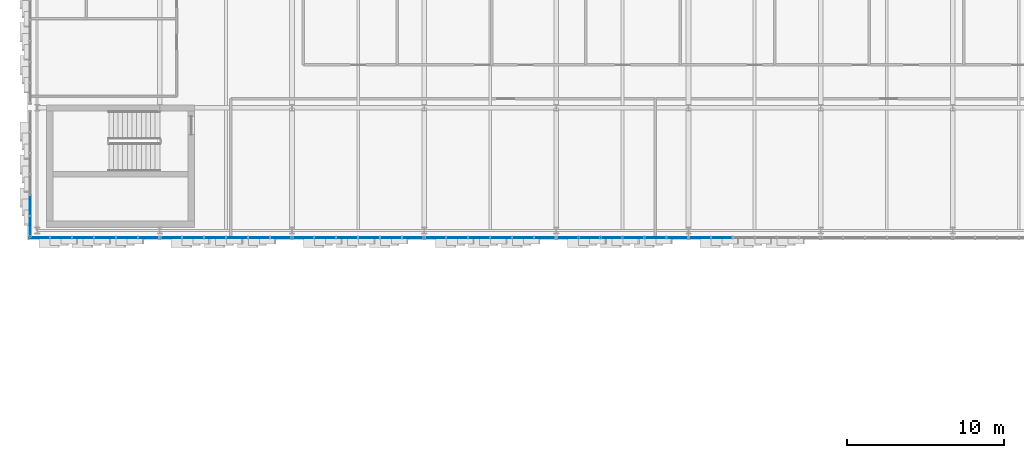
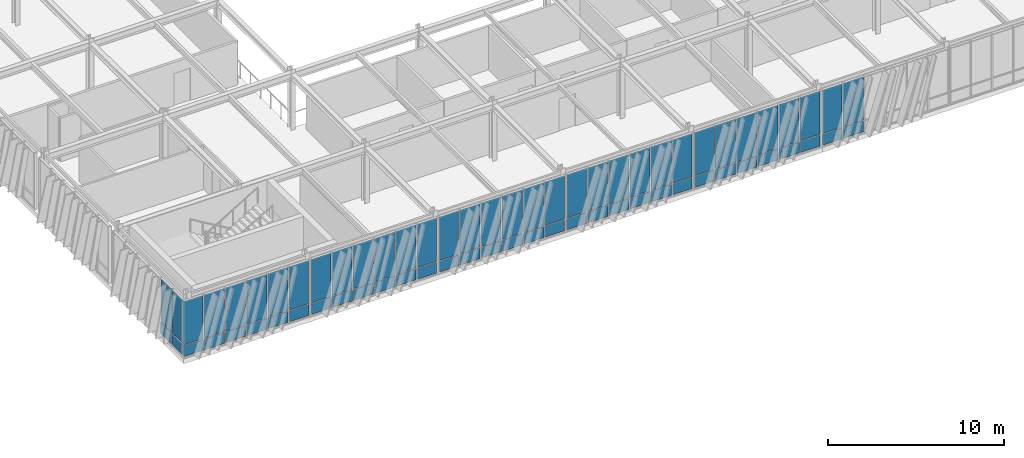
# One storey, part 84 of 127: 68 plates, 7 elements without a shape of their own.
"""IFC4 building model written with IfcOpenShell, lengths in metres."""

from ifc_helpers import new_model, si_unit, direction, frame, origin, origin_2d, place, context, subcontext, project, spatial, rectangle, extrude, material, layer, layer_set, type_object, element, aggregate, save


model = new_model("IFC4")

# Units and contexts
model_context = context("Model", 3, precision=1e-05, world=origin(), true_north=direction((0.0, 1.0)))
body_context = subcontext(model_context, "Body", "Model", "MODEL_VIEW")
ifc_project = project(units=[si_unit("LENGTHUNIT", "METRE"), si_unit("AREAUNIT", "SQUARE_METRE"), si_unit("VOLUMEUNIT", "CUBIC_METRE"), si_unit("PLANEANGLEUNIT", "RADIAN"), si_unit("MASSUNIT", "GRAM", prefix="KILO")], contexts=[model_context])

# Site, building, storey
site_placement = place(None, origin())
site = spatial("IfcSite", under=ifc_project, at=site_placement, CompositionType="ELEMENT")
building_placement = place(site_placement, origin())
building = spatial("IfcBuilding", under=site, at=building_placement, Name="Zayran Congress Hotel", CompositionType="ELEMENT")
storey_placement = place(building_placement, frame((0.0, 0.0, 10.800048828125)))
storey = spatial("IfcBuildingStorey", under=building, at=storey_placement, Name="L02", CompositionType="ELEMENT", Elevation=10.800048828125)

# Curtain wall, plates
ifc_material_1 = material(Name="Anodised aluminium and low-E insulated glass", Category="aluminium")
ifc_layer_1 = layer(ifc_material_1, 0.179931640625)
ifc_layer_set_1 = layer_set([ifc_layer_1], Name="Anodised aluminium and low-E insulated glass")
curtain_wall_type_1 = type_object("IfcCurtainWallType", Name="CW-V1S-L02-CW-11-8380-3920", PredefinedType="USERDEFINED", material=ifc_layer_set_1)
curtain_wall_1_placement = place(storey_placement, origin())
curtain_wall_1 = element("IfcCurtainWall", 1, at=curtain_wall_1_placement, inside=storey, type_object=curtain_wall_type_1, Name="CW-V1S-L02-0", ObjectType="CURTAIN WALL", PredefinedType="USERDEFINED")
ifc_material_2 = material(Name="Insulated warm bronze aluminium spandrel panel", Category="aluminium")
ifc_layer_2 = layer(ifc_material_2, 0.06005859375)
ifc_layer_set_2 = layer_set([ifc_layer_2], Name="Insulated warm bronze aluminium spandrel panel")
plate_type_1 = type_object("IfcPlateType", Name="CWP-SP-1277-750", PredefinedType="CURTAIN_PANEL", material=ifc_layer_set_2)
plate_1_placement = place(storey_placement, frame((9.12841796875, 67.75, 0.06005859375), z_axis=(0.0, 0.0, 1.0), x_axis=(1.0, 0.0, 0.0)))
plate_1 = element("IfcPlate", 2, at=plate_1_placement, type_object=plate_type_1, Name="CW-11 Spandrel Panel 1", PredefinedType="CURTAIN_PANEL", context=body_context, shape_type="SweptSolid", body=[
    extrude(rectangle(XDim=1.276611328125, YDim=0.06005859375, at=origin_2d()), origin(), (0.0, 0.0, 1.0), 0.75),
])
plate_2_placement = place(storey_placement, frame((10.5048828125, 67.75, 0.06005859375), z_axis=(0.0, 0.0, 1.0), x_axis=(1.0, 0.0, 0.0)))
plate_2 = element("IfcPlate", 3, at=plate_2_placement, type_object=plate_type_1, Name="CW-11 Spandrel Panel 2", PredefinedType="CURTAIN_PANEL", context=body_context, shape_type="SweptSolid", body=[
    extrude(rectangle(XDim=1.316650390625, YDim=0.06005859375, at=origin_2d()), origin(), (0.0, 0.0, 1.0), 0.75),
])
plate_3_placement = place(storey_placement, frame((11.901611328125, 67.75, 0.06005859375), z_axis=(0.0, 0.0, 1.0), x_axis=(1.0, 0.0, 0.0)))
plate_3 = element("IfcPlate", 4, at=plate_3_placement, type_object=plate_type_1, Name="CW-11 Spandrel Panel 3", PredefinedType="CURTAIN_PANEL", context=body_context, shape_type="SweptSolid", body=[
    extrude(rectangle(XDim=1.316650390625, YDim=0.06005859375, at=origin_2d()), origin(), (0.0, 0.0, 1.0), 0.75),
])
plate_4_placement = place(storey_placement, frame((13.29833984375, 67.75, 0.06005859375), z_axis=(0.0, 0.0, 1.0), x_axis=(1.0, 0.0, 0.0)))
plate_4 = element("IfcPlate", 5, at=plate_4_placement, type_object=plate_type_1, Name="CW-11 Spandrel Panel 4", PredefinedType="CURTAIN_PANEL", context=body_context, shape_type="SweptSolid", body=[
    extrude(rectangle(XDim=1.316650390625, YDim=0.06005859375, at=origin_2d()), origin(), (0.0, 0.0, 1.0), 0.75),
])
plate_5_placement = place(storey_placement, frame((14.695068359375, 67.75, 0.06005859375), z_axis=(0.0, 0.0, 1.0), x_axis=(1.0, 0.0, 0.0)))
plate_5 = element("IfcPlate", 6, at=plate_5_placement, type_object=plate_type_1, Name="CW-11 Spandrel Panel 5", PredefinedType="CURTAIN_PANEL", context=body_context, shape_type="SweptSolid", body=[
    extrude(rectangle(XDim=1.316650390625, YDim=0.06005859375, at=origin_2d()), origin(), (0.0, 0.0, 1.0), 0.75),
])
plate_6_placement = place(storey_placement, frame((16.07177734375, 67.75, 0.06005859375), z_axis=(0.0, 0.0, 1.0), x_axis=(1.0, 0.0, 0.0)))
plate_6 = element("IfcPlate", 7, at=plate_6_placement, type_object=plate_type_1, Name="CW-11 Spandrel Panel 6", PredefinedType="CURTAIN_PANEL", context=body_context, shape_type="SweptSolid", body=[
    extrude(rectangle(XDim=1.276611328125, YDim=0.06005859375, at=origin_2d()), origin(), (0.0, 0.0, 1.0), 0.75),
])

ifc_layer_3 = layer(ifc_material_1, 0.179931640625)
ifc_layer_set_3 = layer_set([ifc_layer_3], Name="Anodised aluminium and low-E insulated glass")
curtain_wall_type_2 = type_object("IfcCurtainWallType", Name="CW-V1S-L02-CW-12-8380-3920", PredefinedType="USERDEFINED", material=ifc_layer_set_3)
curtain_wall_2_placement = place(storey_placement, origin())
curtain_wall_2 = element("IfcCurtainWall", 8, at=curtain_wall_2_placement, inside=storey, type_object=curtain_wall_type_2, Name="CW-V1S-L02-1", ObjectType="CURTAIN WALL", PredefinedType="USERDEFINED")
plate_7_placement = place(storey_placement, frame((17.5283203125, 67.75, 0.06005859375), z_axis=(0.0, 0.0, 1.0), x_axis=(1.0, 0.0, 0.0)))
plate_7 = element("IfcPlate", 9, at=plate_7_placement, type_object=plate_type_1, Name="CW-12 Spandrel Panel 1", PredefinedType="CURTAIN_PANEL", context=body_context, shape_type="SweptSolid", body=[
    extrude(rectangle(XDim=1.276611328125, YDim=0.06005859375, at=origin_2d()), origin(), (0.0, 0.0, 1.0), 0.75),
])
plate_8_placement = place(storey_placement, frame((18.905029296875, 67.75, 0.06005859375), z_axis=(0.0, 0.0, 1.0), x_axis=(1.0, 0.0, 0.0)))
plate_8 = element("IfcPlate", 10, at=plate_8_placement, type_object=plate_type_1, Name="CW-12 Spandrel Panel 2", PredefinedType="CURTAIN_PANEL", context=body_context, shape_type="SweptSolid", body=[
    extrude(rectangle(XDim=1.316650390625, YDim=0.06005859375, at=origin_2d()), origin(), (0.0, 0.0, 1.0), 0.75),
])
plate_9_placement = place(storey_placement, frame((20.3017578125, 67.75, 0.06005859375), z_axis=(0.0, 0.0, 1.0), x_axis=(1.0, 0.0, 0.0)))
plate_9 = element("IfcPlate", 11, at=plate_9_placement, type_object=plate_type_1, Name="CW-12 Spandrel Panel 3", PredefinedType="CURTAIN_PANEL", context=body_context, shape_type="SweptSolid", body=[
    extrude(rectangle(XDim=1.316650390625, YDim=0.06005859375, at=origin_2d()), origin(), (0.0, 0.0, 1.0), 0.75),
])
plate_10_placement = place(storey_placement, frame((21.6982421875, 67.75, 0.06005859375), z_axis=(0.0, 0.0, 1.0), x_axis=(1.0, 0.0, 0.0)))
plate_10 = element("IfcPlate", 12, at=plate_10_placement, type_object=plate_type_1, Name="CW-12 Spandrel Panel 4", PredefinedType="CURTAIN_PANEL", context=body_context, shape_type="SweptSolid", body=[
    extrude(rectangle(XDim=1.316650390625, YDim=0.06005859375, at=origin_2d()), origin(), (0.0, 0.0, 1.0), 0.75),
])
plate_11_placement = place(storey_placement, frame((23.094970703125, 67.75, 0.06005859375), z_axis=(0.0, 0.0, 1.0), x_axis=(1.0, 0.0, 0.0)))
plate_11 = element("IfcPlate", 13, at=plate_11_placement, type_object=plate_type_1, Name="CW-12 Spandrel Panel 5", PredefinedType="CURTAIN_PANEL", context=body_context, shape_type="SweptSolid", body=[
    extrude(rectangle(XDim=1.316650390625, YDim=0.06005859375, at=origin_2d()), origin(), (0.0, 0.0, 1.0), 0.75),
])
plate_12_placement = place(storey_placement, frame((24.4716796875, 67.75, 0.06005859375), z_axis=(0.0, 0.0, 1.0), x_axis=(1.0, 0.0, 0.0)))
plate_12 = element("IfcPlate", 14, at=plate_12_placement, type_object=plate_type_1, Name="CW-12 Spandrel Panel 6", PredefinedType="CURTAIN_PANEL", context=body_context, shape_type="SweptSolid", body=[
    extrude(rectangle(XDim=1.276611328125, YDim=0.06005859375, at=origin_2d()), origin(), (0.0, 0.0, 1.0), 0.75),
])

ifc_layer_4 = layer(ifc_material_1, 0.179931640625)
ifc_layer_set_4 = layer_set([ifc_layer_4], Name="Anodised aluminium and low-E insulated glass")
curtain_wall_type_3 = type_object("IfcCurtainWallType", Name="CW-V1S-L02-CW-13-8380-3920", PredefinedType="USERDEFINED", material=ifc_layer_set_4)
curtain_wall_3_placement = place(storey_placement, origin())
curtain_wall_3 = element("IfcCurtainWall", 15, at=curtain_wall_3_placement, inside=storey, type_object=curtain_wall_type_3, Name="CW-V1S-L02-2", ObjectType="CURTAIN WALL", PredefinedType="USERDEFINED")
plate_13_placement = place(storey_placement, frame((25.92822265625, 67.75, 0.06005859375), z_axis=(0.0, 0.0, 1.0), x_axis=(1.0, 0.0, 0.0)))
plate_13 = element("IfcPlate", 16, at=plate_13_placement, type_object=plate_type_1, Name="CW-13 Spandrel Panel 1", PredefinedType="CURTAIN_PANEL", context=body_context, shape_type="SweptSolid", body=[
    extrude(rectangle(XDim=1.276611328125, YDim=0.06005859375, at=origin_2d()), origin(), (0.0, 0.0, 1.0), 0.75),
])
plate_14_placement = place(storey_placement, frame((27.304931640625, 67.75, 0.06005859375), z_axis=(0.0, 0.0, 1.0), x_axis=(1.0, 0.0, 0.0)))
plate_14 = element("IfcPlate", 17, at=plate_14_placement, type_object=plate_type_1, Name="CW-13 Spandrel Panel 2", PredefinedType="CURTAIN_PANEL", context=body_context, shape_type="SweptSolid", body=[
    extrude(rectangle(XDim=1.316650390625, YDim=0.06005859375, at=origin_2d()), origin(), (0.0, 0.0, 1.0), 0.75),
])
plate_15_placement = place(storey_placement, frame((28.70166015625, 67.75, 0.06005859375), z_axis=(0.0, 0.0, 1.0), x_axis=(1.0, 0.0, 0.0)))
plate_15 = element("IfcPlate", 18, at=plate_15_placement, type_object=plate_type_1, Name="CW-13 Spandrel Panel 3", PredefinedType="CURTAIN_PANEL", context=body_context, shape_type="SweptSolid", body=[
    extrude(rectangle(XDim=1.316650390625, YDim=0.06005859375, at=origin_2d()), origin(), (0.0, 0.0, 1.0), 0.75),
])
plate_16_placement = place(storey_placement, frame((30.098388671875, 67.75, 0.06005859375), z_axis=(0.0, 0.0, 1.0), x_axis=(1.0, 0.0, 0.0)))
plate_16 = element("IfcPlate", 19, at=plate_16_placement, type_object=plate_type_1, Name="CW-13 Spandrel Panel 4", PredefinedType="CURTAIN_PANEL", context=body_context, shape_type="SweptSolid", body=[
    extrude(rectangle(XDim=1.316650390625, YDim=0.06005859375, at=origin_2d()), origin(), (0.0, 0.0, 1.0), 0.75),
])
plate_17_placement = place(storey_placement, frame((31.4951171875, 67.75, 0.06005859375), z_axis=(0.0, 0.0, 1.0), x_axis=(1.0, 0.0, 0.0)))
plate_17 = element("IfcPlate", 20, at=plate_17_placement, type_object=plate_type_1, Name="CW-13 Spandrel Panel 5", PredefinedType="CURTAIN_PANEL", context=body_context, shape_type="SweptSolid", body=[
    extrude(rectangle(XDim=1.316650390625, YDim=0.06005859375, at=origin_2d()), origin(), (0.0, 0.0, 1.0), 0.75),
])
plate_18_placement = place(storey_placement, frame((32.87158203125, 67.75, 0.06005859375), z_axis=(0.0, 0.0, 1.0), x_axis=(1.0, 0.0, 0.0)))
plate_18 = element("IfcPlate", 21, at=plate_18_placement, type_object=plate_type_1, Name="CW-13 Spandrel Panel 6", PredefinedType="CURTAIN_PANEL", context=body_context, shape_type="SweptSolid", body=[
    extrude(rectangle(XDim=1.276611328125, YDim=0.06005859375, at=origin_2d()), origin(), (0.0, 0.0, 1.0), 0.75),
])

curtain_wall_4_placement = place(storey_placement, origin())
curtain_wall_4 = element("IfcCurtainWall", 22, at=curtain_wall_4_placement, inside=storey, type_object=curtain_wall_type_1, Name="CW-V1S-L02-3", ObjectType="CURTAIN WALL", PredefinedType="USERDEFINED")
plate_19_placement = place(storey_placement, frame((34.328369140625, 67.75, 0.06005859375), z_axis=(0.0, 0.0, 1.0), x_axis=(1.0, 0.0, 0.0)))
plate_19 = element("IfcPlate", 23, at=plate_19_placement, type_object=plate_type_1, Name="CW-11 Spandrel Panel 1", PredefinedType="CURTAIN_PANEL", context=body_context, shape_type="SweptSolid", body=[
    extrude(rectangle(XDim=1.276611328125, YDim=0.06005859375, at=origin_2d()), origin(), (0.0, 0.0, 1.0), 0.75),
])
plate_20_placement = place(storey_placement, frame((35.705078125, 67.75, 0.06005859375), z_axis=(0.0, 0.0, 1.0), x_axis=(1.0, 0.0, 0.0)))
plate_20 = element("IfcPlate", 24, at=plate_20_placement, type_object=plate_type_1, Name="CW-11 Spandrel Panel 2", PredefinedType="CURTAIN_PANEL", context=body_context, shape_type="SweptSolid", body=[
    extrude(rectangle(XDim=1.316650390625, YDim=0.06005859375, at=origin_2d()), origin(), (0.0, 0.0, 1.0), 0.75),
])
plate_21_placement = place(storey_placement, frame((37.101806640625, 67.75, 0.06005859375), z_axis=(0.0, 0.0, 1.0), x_axis=(1.0, 0.0, 0.0)))
plate_21 = element("IfcPlate", 25, at=plate_21_placement, type_object=plate_type_1, Name="CW-11 Spandrel Panel 3", PredefinedType="CURTAIN_PANEL", context=body_context, shape_type="SweptSolid", body=[
    extrude(rectangle(XDim=1.316650390625, YDim=0.06005859375, at=origin_2d()), origin(), (0.0, 0.0, 1.0), 0.75),
])
plate_22_placement = place(storey_placement, frame((38.498291015625, 67.75, 0.06005859375), z_axis=(0.0, 0.0, 1.0), x_axis=(1.0, 0.0, 0.0)))
plate_22 = element("IfcPlate", 26, at=plate_22_placement, type_object=plate_type_1, Name="CW-11 Spandrel Panel 4", PredefinedType="CURTAIN_PANEL", context=body_context, shape_type="SweptSolid", body=[
    extrude(rectangle(XDim=1.316650390625, YDim=0.06005859375, at=origin_2d()), origin(), (0.0, 0.0, 1.0), 0.75),
])
plate_23_placement = place(storey_placement, frame((39.89501953125, 67.75, 0.06005859375), z_axis=(0.0, 0.0, 1.0), x_axis=(1.0, 0.0, 0.0)))
plate_23 = element("IfcPlate", 27, at=plate_23_placement, type_object=plate_type_1, Name="CW-11 Spandrel Panel 5", PredefinedType="CURTAIN_PANEL", context=body_context, shape_type="SweptSolid", body=[
    extrude(rectangle(XDim=1.316650390625, YDim=0.06005859375, at=origin_2d()), origin(), (0.0, 0.0, 1.0), 0.75),
])
plate_24_placement = place(storey_placement, frame((41.271728515625, 67.75, 0.06005859375), z_axis=(0.0, 0.0, 1.0), x_axis=(1.0, 0.0, 0.0)))
plate_24 = element("IfcPlate", 28, at=plate_24_placement, type_object=plate_type_1, Name="CW-11 Spandrel Panel 6", PredefinedType="CURTAIN_PANEL", context=body_context, shape_type="SweptSolid", body=[
    extrude(rectangle(XDim=1.276611328125, YDim=0.06005859375, at=origin_2d()), origin(), (0.0, 0.0, 1.0), 0.75),
])

curtain_wall_5_placement = place(storey_placement, origin())
curtain_wall_5 = element("IfcCurtainWall", 29, at=curtain_wall_5_placement, inside=storey, type_object=curtain_wall_type_2, Name="CW-V1S-L02-4", ObjectType="CURTAIN WALL", PredefinedType="USERDEFINED")
plate_25_placement = place(storey_placement, frame((42.728271484375, 67.75, 0.06005859375), z_axis=(0.0, 0.0, 1.0), x_axis=(1.0, 0.0, 0.0)))
plate_25 = element("IfcPlate", 30, at=plate_25_placement, type_object=plate_type_1, Name="CW-12 Spandrel Panel 1", PredefinedType="CURTAIN_PANEL", context=body_context, shape_type="SweptSolid", body=[
    extrude(rectangle(XDim=1.276611328125, YDim=0.06005859375, at=origin_2d()), origin(), (0.0, 0.0, 1.0), 0.75),
])
plate_26_placement = place(storey_placement, frame((44.10498046875, 67.75, 0.06005859375), z_axis=(0.0, 0.0, 1.0), x_axis=(1.0, 0.0, 0.0)))
plate_26 = element("IfcPlate", 31, at=plate_26_placement, type_object=plate_type_1, Name="CW-12 Spandrel Panel 2", PredefinedType="CURTAIN_PANEL", context=body_context, shape_type="SweptSolid", body=[
    extrude(rectangle(XDim=1.316650390625, YDim=0.06005859375, at=origin_2d()), origin(), (0.0, 0.0, 1.0), 0.75),
])
plate_27_placement = place(storey_placement, frame((45.501708984375, 67.75, 0.06005859375), z_axis=(0.0, 0.0, 1.0), x_axis=(1.0, 0.0, 0.0)))
plate_27 = element("IfcPlate", 32, at=plate_27_placement, type_object=plate_type_1, Name="CW-12 Spandrel Panel 3", PredefinedType="CURTAIN_PANEL", context=body_context, shape_type="SweptSolid", body=[
    extrude(rectangle(XDim=1.316650390625, YDim=0.06005859375, at=origin_2d()), origin(), (0.0, 0.0, 1.0), 0.75),
])
plate_28_placement = place(storey_placement, frame((46.898193359375, 67.75, 0.06005859375), z_axis=(0.0, 0.0, 1.0), x_axis=(1.0, 0.0, 0.0)))
plate_28 = element("IfcPlate", 33, at=plate_28_placement, type_object=plate_type_1, Name="CW-12 Spandrel Panel 4", PredefinedType="CURTAIN_PANEL", context=body_context, shape_type="SweptSolid", body=[
    extrude(rectangle(XDim=1.316650390625, YDim=0.06005859375, at=origin_2d()), origin(), (0.0, 0.0, 1.0), 0.75),
])
plate_29_placement = place(storey_placement, frame((48.294921875, 67.75, 0.06005859375), z_axis=(0.0, 0.0, 1.0), x_axis=(1.0, 0.0, 0.0)))
plate_29 = element("IfcPlate", 34, at=plate_29_placement, type_object=plate_type_1, Name="CW-12 Spandrel Panel 5", PredefinedType="CURTAIN_PANEL", context=body_context, shape_type="SweptSolid", body=[
    extrude(rectangle(XDim=1.316650390625, YDim=0.06005859375, at=origin_2d()), origin(), (0.0, 0.0, 1.0), 0.75),
])
plate_30_placement = place(storey_placement, frame((49.671630859375, 67.75, 0.06005859375), z_axis=(0.0, 0.0, 1.0), x_axis=(1.0, 0.0, 0.0)))
plate_30 = element("IfcPlate", 35, at=plate_30_placement, type_object=plate_type_1, Name="CW-12 Spandrel Panel 6", PredefinedType="CURTAIN_PANEL", context=body_context, shape_type="SweptSolid", body=[
    extrude(rectangle(XDim=1.276611328125, YDim=0.06005859375, at=origin_2d()), origin(), (0.0, 0.0, 1.0), 0.75),
])

curtain_wall_6_placement = place(storey_placement, origin())
curtain_wall_6 = element("IfcCurtainWall", 36, at=curtain_wall_6_placement, inside=storey, type_object=curtain_wall_type_3, Name="CW-V1S-L02-5", ObjectType="CURTAIN WALL", PredefinedType="USERDEFINED")
plate_31_placement = place(storey_placement, frame((51.12841796875, 67.75, 0.06005859375), z_axis=(0.0, 0.0, 1.0), x_axis=(1.0, 0.0, 0.0)))
plate_31 = element("IfcPlate", 37, at=plate_31_placement, type_object=plate_type_1, Name="CW-13 Spandrel Panel 1", PredefinedType="CURTAIN_PANEL", context=body_context, shape_type="SweptSolid", body=[
    extrude(rectangle(XDim=1.276611328125, YDim=0.06005859375, at=origin_2d()), origin(), (0.0, 0.0, 1.0), 0.75),
])
plate_32_placement = place(storey_placement, frame((52.5048828125, 67.75, 0.06005859375), z_axis=(0.0, 0.0, 1.0), x_axis=(1.0, 0.0, 0.0)))
plate_32 = element("IfcPlate", 38, at=plate_32_placement, type_object=plate_type_1, Name="CW-13 Spandrel Panel 2", PredefinedType="CURTAIN_PANEL", context=body_context, shape_type="SweptSolid", body=[
    extrude(rectangle(XDim=1.316650390625, YDim=0.06005859375, at=origin_2d()), origin(), (0.0, 0.0, 1.0), 0.75),
])

ifc_layer_5 = layer(ifc_material_1, 0.179931640625)
ifc_layer_set_5 = layer_set([ifc_layer_5], Name="Anodised aluminium and low-E insulated glass")
curtain_wall_type_4 = type_object("IfcCurtainWallType", Name="CW-V1W-L02-CW-31-8040-3920", PredefinedType="USERDEFINED", material=ifc_layer_set_5)
curtain_wall_7_placement = place(storey_placement, origin())
curtain_wall_7 = element("IfcCurtainWall", 39, at=curtain_wall_7_placement, inside=storey, type_object=curtain_wall_type_4, Name="CW-V1W-L02-0", ObjectType="CURTAIN WALL", PredefinedType="USERDEFINED")
ifc_layer_6 = layer(ifc_material_2, 0.06005859375)
ifc_layer_set_6 = layer_set([ifc_layer_6], Name="Insulated warm bronze aluminium spandrel panel")
plate_type_2 = type_object("IfcPlateType", Name="CWP-SP-1220-750", PredefinedType="CURTAIN_PANEL", material=ifc_layer_set_6)
plate_33_placement = place(storey_placement, frame((8.550048828125, 69.7900390625, 0.06005859375), z_axis=(0.0, 0.0, 1.0), x_axis=(0.0, 1.0, 0.0)))
plate_33 = element("IfcPlate", 40, at=plate_33_placement, type_object=plate_type_2, Name="CW-31 Spandrel Panel 5", PredefinedType="CURTAIN_PANEL", context=body_context, shape_type="SweptSolid", body=[
    extrude(rectangle(XDim=1.260009765625, YDim=0.06005859375, at=origin_2d()), origin(), (0.0, 0.0, 1.0), 0.75),
])
plate_34_placement = place(storey_placement, frame((8.550048828125, 68.469970703125, 0.06005859375), z_axis=(0.0, 0.0, 1.0), x_axis=(0.0, 1.0, 0.0)))
plate_34 = element("IfcPlate", 41, at=plate_34_placement, type_object=plate_type_2, Name="CW-31 Spandrel Panel 6", PredefinedType="CURTAIN_PANEL", context=body_context, shape_type="SweptSolid", body=[
    extrude(rectangle(XDim=1.219970703125, YDim=0.06005859375, at=origin_2d()), origin(), (0.0, 0.0, 1.0), 0.75),
])

# Plate
ifc_layer_7 = layer(ifc_material_1, 0.028076171875)
ifc_layer_set_7 = layer_set([ifc_layer_7], Name="Anodised aluminium and low-E insulated glass")
plate_type_3 = type_object("IfcPlateType", Name="CWP-GL-1277-2990", PredefinedType="CURTAIN_PANEL", material=ifc_layer_set_7)
plate_35_placement = place(storey_placement, frame((9.12841796875, 67.75, 0.8701171875), z_axis=(0.0, 0.0, 1.0), x_axis=(1.0, 0.0, 0.0)))
plate_35 = element("IfcPlate", 42, at=plate_35_placement, type_object=plate_type_3, Name="CW-11 Glazed Panel 1", PredefinedType="CURTAIN_PANEL", context=body_context, shape_type="SweptSolid", body=[
    extrude(rectangle(XDim=1.276611328125, YDim=0.028076171875, at=origin_2d()), origin(), (0.0, 0.0, 1.0), 2.989990234375),
])

plate_36_placement = place(storey_placement, frame((10.5048828125, 67.75, 0.8701171875), z_axis=(0.0, 0.0, 1.0), x_axis=(1.0, 0.0, 0.0)))
plate_36 = element("IfcPlate", 43, at=plate_36_placement, type_object=plate_type_3, Name="CW-11 Glazed Panel 2", PredefinedType="CURTAIN_PANEL", context=body_context, shape_type="SweptSolid", body=[
    extrude(rectangle(XDim=1.316650390625, YDim=0.028076171875, at=origin_2d()), origin(), (0.0, 0.0, 1.0), 2.989990234375),
])

plate_37_placement = place(storey_placement, frame((11.901611328125, 67.75, 0.8701171875), z_axis=(0.0, 0.0, 1.0), x_axis=(1.0, 0.0, 0.0)))
plate_37 = element("IfcPlate", 44, at=plate_37_placement, type_object=plate_type_3, Name="CW-11 Glazed Panel 3", PredefinedType="CURTAIN_PANEL", context=body_context, shape_type="SweptSolid", body=[
    extrude(rectangle(XDim=1.316650390625, YDim=0.028076171875, at=origin_2d()), origin(), (0.0, 0.0, 1.0), 2.989990234375),
])

plate_38_placement = place(storey_placement, frame((13.29833984375, 67.75, 0.8701171875), z_axis=(0.0, 0.0, 1.0), x_axis=(1.0, 0.0, 0.0)))
plate_38 = element("IfcPlate", 45, at=plate_38_placement, type_object=plate_type_3, Name="CW-11 Glazed Panel 4", PredefinedType="CURTAIN_PANEL", context=body_context, shape_type="SweptSolid", body=[
    extrude(rectangle(XDim=1.316650390625, YDim=0.028076171875, at=origin_2d()), origin(), (0.0, 0.0, 1.0), 2.989990234375),
])

plate_39_placement = place(storey_placement, frame((14.695068359375, 67.75, 0.8701171875), z_axis=(0.0, 0.0, 1.0), x_axis=(1.0, 0.0, 0.0)))
plate_39 = element("IfcPlate", 46, at=plate_39_placement, type_object=plate_type_3, Name="CW-11 Glazed Panel 5", PredefinedType="CURTAIN_PANEL", context=body_context, shape_type="SweptSolid", body=[
    extrude(rectangle(XDim=1.316650390625, YDim=0.028076171875, at=origin_2d()), origin(), (0.0, 0.0, 1.0), 2.989990234375),
])

plate_40_placement = place(storey_placement, frame((16.07177734375, 67.75, 0.8701171875), z_axis=(0.0, 0.0, 1.0), x_axis=(1.0, 0.0, 0.0)))
plate_40 = element("IfcPlate", 47, at=plate_40_placement, type_object=plate_type_3, Name="CW-11 Glazed Panel 6", PredefinedType="CURTAIN_PANEL", context=body_context, shape_type="SweptSolid", body=[
    extrude(rectangle(XDim=1.276611328125, YDim=0.028076171875, at=origin_2d()), origin(), (0.0, 0.0, 1.0), 2.989990234375),
])

aggregate(curtain_wall_1, [plate_1, plate_35, plate_2, plate_36, plate_3, plate_37, plate_4, plate_38, plate_5, plate_39, plate_6, plate_40])

plate_41_placement = place(storey_placement, frame((17.5283203125, 67.75, 0.8701171875), z_axis=(0.0, 0.0, 1.0), x_axis=(1.0, 0.0, 0.0)))
plate_41 = element("IfcPlate", 48, at=plate_41_placement, type_object=plate_type_3, Name="CW-12 Glazed Panel 1", PredefinedType="CURTAIN_PANEL", context=body_context, shape_type="SweptSolid", body=[
    extrude(rectangle(XDim=1.276611328125, YDim=0.028076171875, at=origin_2d()), origin(), (0.0, 0.0, 1.0), 2.989990234375),
])

plate_42_placement = place(storey_placement, frame((18.905029296875, 67.75, 0.8701171875), z_axis=(0.0, 0.0, 1.0), x_axis=(1.0, 0.0, 0.0)))
plate_42 = element("IfcPlate", 49, at=plate_42_placement, type_object=plate_type_3, Name="CW-12 Glazed Panel 2", PredefinedType="CURTAIN_PANEL", context=body_context, shape_type="SweptSolid", body=[
    extrude(rectangle(XDim=1.316650390625, YDim=0.028076171875, at=origin_2d()), origin(), (0.0, 0.0, 1.0), 2.989990234375),
])

plate_43_placement = place(storey_placement, frame((20.3017578125, 67.75, 0.8701171875), z_axis=(0.0, 0.0, 1.0), x_axis=(1.0, 0.0, 0.0)))
plate_43 = element("IfcPlate", 50, at=plate_43_placement, type_object=plate_type_3, Name="CW-12 Glazed Panel 3", PredefinedType="CURTAIN_PANEL", context=body_context, shape_type="SweptSolid", body=[
    extrude(rectangle(XDim=1.316650390625, YDim=0.028076171875, at=origin_2d()), origin(), (0.0, 0.0, 1.0), 2.989990234375),
])

plate_44_placement = place(storey_placement, frame((21.6982421875, 67.75, 0.8701171875), z_axis=(0.0, 0.0, 1.0), x_axis=(1.0, 0.0, 0.0)))
plate_44 = element("IfcPlate", 51, at=plate_44_placement, type_object=plate_type_3, Name="CW-12 Glazed Panel 4", PredefinedType="CURTAIN_PANEL", context=body_context, shape_type="SweptSolid", body=[
    extrude(rectangle(XDim=1.316650390625, YDim=0.028076171875, at=origin_2d()), origin(), (0.0, 0.0, 1.0), 2.989990234375),
])

plate_45_placement = place(storey_placement, frame((23.094970703125, 67.75, 0.8701171875), z_axis=(0.0, 0.0, 1.0), x_axis=(1.0, 0.0, 0.0)))
plate_45 = element("IfcPlate", 52, at=plate_45_placement, type_object=plate_type_3, Name="CW-12 Glazed Panel 5", PredefinedType="CURTAIN_PANEL", context=body_context, shape_type="SweptSolid", body=[
    extrude(rectangle(XDim=1.316650390625, YDim=0.028076171875, at=origin_2d()), origin(), (0.0, 0.0, 1.0), 2.989990234375),
])

plate_46_placement = place(storey_placement, frame((24.4716796875, 67.75, 0.8701171875), z_axis=(0.0, 0.0, 1.0), x_axis=(1.0, 0.0, 0.0)))
plate_46 = element("IfcPlate", 53, at=plate_46_placement, type_object=plate_type_3, Name="CW-12 Glazed Panel 6", PredefinedType="CURTAIN_PANEL", context=body_context, shape_type="SweptSolid", body=[
    extrude(rectangle(XDim=1.276611328125, YDim=0.028076171875, at=origin_2d()), origin(), (0.0, 0.0, 1.0), 2.989990234375),
])

aggregate(curtain_wall_2, [plate_7, plate_41, plate_8, plate_42, plate_9, plate_43, plate_10, plate_44, plate_11, plate_45, plate_12, plate_46])

plate_47_placement = place(storey_placement, frame((25.92822265625, 67.75, 0.8701171875), z_axis=(0.0, 0.0, 1.0), x_axis=(1.0, 0.0, 0.0)))
plate_47 = element("IfcPlate", 54, at=plate_47_placement, type_object=plate_type_3, Name="CW-13 Glazed Panel 1", PredefinedType="CURTAIN_PANEL", context=body_context, shape_type="SweptSolid", body=[
    extrude(rectangle(XDim=1.276611328125, YDim=0.028076171875, at=origin_2d()), origin(), (0.0, 0.0, 1.0), 2.989990234375),
])

plate_48_placement = place(storey_placement, frame((27.304931640625, 67.75, 0.8701171875), z_axis=(0.0, 0.0, 1.0), x_axis=(1.0, 0.0, 0.0)))
plate_48 = element("IfcPlate", 55, at=plate_48_placement, type_object=plate_type_3, Name="CW-13 Glazed Panel 2", PredefinedType="CURTAIN_PANEL", context=body_context, shape_type="SweptSolid", body=[
    extrude(rectangle(XDim=1.316650390625, YDim=0.028076171875, at=origin_2d()), origin(), (0.0, 0.0, 1.0), 2.989990234375),
])

plate_49_placement = place(storey_placement, frame((28.70166015625, 67.75, 0.8701171875), z_axis=(0.0, 0.0, 1.0), x_axis=(1.0, 0.0, 0.0)))
plate_49 = element("IfcPlate", 56, at=plate_49_placement, type_object=plate_type_3, Name="CW-13 Glazed Panel 3", PredefinedType="CURTAIN_PANEL", context=body_context, shape_type="SweptSolid", body=[
    extrude(rectangle(XDim=1.316650390625, YDim=0.028076171875, at=origin_2d()), origin(), (0.0, 0.0, 1.0), 2.989990234375),
])

plate_50_placement = place(storey_placement, frame((30.098388671875, 67.75, 0.8701171875), z_axis=(0.0, 0.0, 1.0), x_axis=(1.0, 0.0, 0.0)))
plate_50 = element("IfcPlate", 57, at=plate_50_placement, type_object=plate_type_3, Name="CW-13 Glazed Panel 4", PredefinedType="CURTAIN_PANEL", context=body_context, shape_type="SweptSolid", body=[
    extrude(rectangle(XDim=1.316650390625, YDim=0.028076171875, at=origin_2d()), origin(), (0.0, 0.0, 1.0), 2.989990234375),
])

plate_51_placement = place(storey_placement, frame((31.4951171875, 67.75, 0.8701171875), z_axis=(0.0, 0.0, 1.0), x_axis=(1.0, 0.0, 0.0)))
plate_51 = element("IfcPlate", 58, at=plate_51_placement, type_object=plate_type_3, Name="CW-13 Glazed Panel 5", PredefinedType="CURTAIN_PANEL", context=body_context, shape_type="SweptSolid", body=[
    extrude(rectangle(XDim=1.316650390625, YDim=0.028076171875, at=origin_2d()), origin(), (0.0, 0.0, 1.0), 2.989990234375),
])

plate_52_placement = place(storey_placement, frame((32.87158203125, 67.75, 0.8701171875), z_axis=(0.0, 0.0, 1.0), x_axis=(1.0, 0.0, 0.0)))
plate_52 = element("IfcPlate", 59, at=plate_52_placement, type_object=plate_type_3, Name="CW-13 Glazed Panel 6", PredefinedType="CURTAIN_PANEL", context=body_context, shape_type="SweptSolid", body=[
    extrude(rectangle(XDim=1.276611328125, YDim=0.028076171875, at=origin_2d()), origin(), (0.0, 0.0, 1.0), 2.989990234375),
])

aggregate(curtain_wall_3, [plate_13, plate_47, plate_14, plate_48, plate_15, plate_49, plate_16, plate_50, plate_17, plate_51, plate_18, plate_52])

plate_53_placement = place(storey_placement, frame((34.328369140625, 67.75, 0.8701171875), z_axis=(0.0, 0.0, 1.0), x_axis=(1.0, 0.0, 0.0)))
plate_53 = element("IfcPlate", 60, at=plate_53_placement, type_object=plate_type_3, Name="CW-11 Glazed Panel 1", PredefinedType="CURTAIN_PANEL", context=body_context, shape_type="SweptSolid", body=[
    extrude(rectangle(XDim=1.276611328125, YDim=0.028076171875, at=origin_2d()), origin(), (0.0, 0.0, 1.0), 2.989990234375),
])

plate_54_placement = place(storey_placement, frame((35.705078125, 67.75, 0.8701171875), z_axis=(0.0, 0.0, 1.0), x_axis=(1.0, 0.0, 0.0)))
plate_54 = element("IfcPlate", 61, at=plate_54_placement, type_object=plate_type_3, Name="CW-11 Glazed Panel 2", PredefinedType="CURTAIN_PANEL", context=body_context, shape_type="SweptSolid", body=[
    extrude(rectangle(XDim=1.316650390625, YDim=0.028076171875, at=origin_2d()), origin(), (0.0, 0.0, 1.0), 2.989990234375),
])

plate_55_placement = place(storey_placement, frame((37.101806640625, 67.75, 0.8701171875), z_axis=(0.0, 0.0, 1.0), x_axis=(1.0, 0.0, 0.0)))
plate_55 = element("IfcPlate", 62, at=plate_55_placement, type_object=plate_type_3, Name="CW-11 Glazed Panel 3", PredefinedType="CURTAIN_PANEL", context=body_context, shape_type="SweptSolid", body=[
    extrude(rectangle(XDim=1.316650390625, YDim=0.028076171875, at=origin_2d()), origin(), (0.0, 0.0, 1.0), 2.989990234375),
])

plate_56_placement = place(storey_placement, frame((38.498291015625, 67.75, 0.8701171875), z_axis=(0.0, 0.0, 1.0), x_axis=(1.0, 0.0, 0.0)))
plate_56 = element("IfcPlate", 63, at=plate_56_placement, type_object=plate_type_3, Name="CW-11 Glazed Panel 4", PredefinedType="CURTAIN_PANEL", context=body_context, shape_type="SweptSolid", body=[
    extrude(rectangle(XDim=1.316650390625, YDim=0.028076171875, at=origin_2d()), origin(), (0.0, 0.0, 1.0), 2.989990234375),
])

plate_57_placement = place(storey_placement, frame((39.89501953125, 67.75, 0.8701171875), z_axis=(0.0, 0.0, 1.0), x_axis=(1.0, 0.0, 0.0)))
plate_57 = element("IfcPlate", 64, at=plate_57_placement, type_object=plate_type_3, Name="CW-11 Glazed Panel 5", PredefinedType="CURTAIN_PANEL", context=body_context, shape_type="SweptSolid", body=[
    extrude(rectangle(XDim=1.316650390625, YDim=0.028076171875, at=origin_2d()), origin(), (0.0, 0.0, 1.0), 2.989990234375),
])

plate_58_placement = place(storey_placement, frame((41.271728515625, 67.75, 0.8701171875), z_axis=(0.0, 0.0, 1.0), x_axis=(1.0, 0.0, 0.0)))
plate_58 = element("IfcPlate", 65, at=plate_58_placement, type_object=plate_type_3, Name="CW-11 Glazed Panel 6", PredefinedType="CURTAIN_PANEL", context=body_context, shape_type="SweptSolid", body=[
    extrude(rectangle(XDim=1.276611328125, YDim=0.028076171875, at=origin_2d()), origin(), (0.0, 0.0, 1.0), 2.989990234375),
])

aggregate(curtain_wall_4, [plate_19, plate_53, plate_20, plate_54, plate_21, plate_55, plate_22, plate_56, plate_23, plate_57, plate_24, plate_58])

plate_59_placement = place(storey_placement, frame((42.728271484375, 67.75, 0.8701171875), z_axis=(0.0, 0.0, 1.0), x_axis=(1.0, 0.0, 0.0)))
plate_59 = element("IfcPlate", 66, at=plate_59_placement, type_object=plate_type_3, Name="CW-12 Glazed Panel 1", PredefinedType="CURTAIN_PANEL", context=body_context, shape_type="SweptSolid", body=[
    extrude(rectangle(XDim=1.276611328125, YDim=0.028076171875, at=origin_2d()), origin(), (0.0, 0.0, 1.0), 2.989990234375),
])

plate_60_placement = place(storey_placement, frame((44.10498046875, 67.75, 0.8701171875), z_axis=(0.0, 0.0, 1.0), x_axis=(1.0, 0.0, 0.0)))
plate_60 = element("IfcPlate", 67, at=plate_60_placement, type_object=plate_type_3, Name="CW-12 Glazed Panel 2", PredefinedType="CURTAIN_PANEL", context=body_context, shape_type="SweptSolid", body=[
    extrude(rectangle(XDim=1.316650390625, YDim=0.028076171875, at=origin_2d()), origin(), (0.0, 0.0, 1.0), 2.989990234375),
])

plate_61_placement = place(storey_placement, frame((45.501708984375, 67.75, 0.8701171875), z_axis=(0.0, 0.0, 1.0), x_axis=(1.0, 0.0, 0.0)))
plate_61 = element("IfcPlate", 68, at=plate_61_placement, type_object=plate_type_3, Name="CW-12 Glazed Panel 3", PredefinedType="CURTAIN_PANEL", context=body_context, shape_type="SweptSolid", body=[
    extrude(rectangle(XDim=1.316650390625, YDim=0.028076171875, at=origin_2d()), origin(), (0.0, 0.0, 1.0), 2.989990234375),
])

plate_62_placement = place(storey_placement, frame((46.898193359375, 67.75, 0.8701171875), z_axis=(0.0, 0.0, 1.0), x_axis=(1.0, 0.0, 0.0)))
plate_62 = element("IfcPlate", 69, at=plate_62_placement, type_object=plate_type_3, Name="CW-12 Glazed Panel 4", PredefinedType="CURTAIN_PANEL", context=body_context, shape_type="SweptSolid", body=[
    extrude(rectangle(XDim=1.316650390625, YDim=0.028076171875, at=origin_2d()), origin(), (0.0, 0.0, 1.0), 2.989990234375),
])

plate_63_placement = place(storey_placement, frame((48.294921875, 67.75, 0.8701171875), z_axis=(0.0, 0.0, 1.0), x_axis=(1.0, 0.0, 0.0)))
plate_63 = element("IfcPlate", 70, at=plate_63_placement, type_object=plate_type_3, Name="CW-12 Glazed Panel 5", PredefinedType="CURTAIN_PANEL", context=body_context, shape_type="SweptSolid", body=[
    extrude(rectangle(XDim=1.316650390625, YDim=0.028076171875, at=origin_2d()), origin(), (0.0, 0.0, 1.0), 2.989990234375),
])

plate_64_placement = place(storey_placement, frame((49.671630859375, 67.75, 0.8701171875), z_axis=(0.0, 0.0, 1.0), x_axis=(1.0, 0.0, 0.0)))
plate_64 = element("IfcPlate", 71, at=plate_64_placement, type_object=plate_type_3, Name="CW-12 Glazed Panel 6", PredefinedType="CURTAIN_PANEL", context=body_context, shape_type="SweptSolid", body=[
    extrude(rectangle(XDim=1.276611328125, YDim=0.028076171875, at=origin_2d()), origin(), (0.0, 0.0, 1.0), 2.989990234375),
])

aggregate(curtain_wall_5, [plate_25, plate_59, plate_26, plate_60, plate_27, plate_61, plate_28, plate_62, plate_29, plate_63, plate_30, plate_64])

plate_65_placement = place(storey_placement, frame((51.12841796875, 67.75, 0.8701171875), z_axis=(0.0, 0.0, 1.0), x_axis=(1.0, 0.0, 0.0)))
plate_65 = element("IfcPlate", 72, at=plate_65_placement, type_object=plate_type_3, Name="CW-13 Glazed Panel 1", PredefinedType="CURTAIN_PANEL", context=body_context, shape_type="SweptSolid", body=[
    extrude(rectangle(XDim=1.276611328125, YDim=0.028076171875, at=origin_2d()), origin(), (0.0, 0.0, 1.0), 2.989990234375),
])

plate_66_placement = place(storey_placement, frame((52.5048828125, 67.75, 0.8701171875), z_axis=(0.0, 0.0, 1.0), x_axis=(1.0, 0.0, 0.0)))
plate_66 = element("IfcPlate", 73, at=plate_66_placement, type_object=plate_type_3, Name="CW-13 Glazed Panel 2", PredefinedType="CURTAIN_PANEL", context=body_context, shape_type="SweptSolid", body=[
    extrude(rectangle(XDim=1.316650390625, YDim=0.028076171875, at=origin_2d()), origin(), (0.0, 0.0, 1.0), 2.989990234375),
])

aggregate(curtain_wall_6, [plate_31, plate_65, plate_32, plate_66])

ifc_layer_8 = layer(ifc_material_1, 0.028076171875)
ifc_layer_set_8 = layer_set([ifc_layer_8], Name="Anodised aluminium and low-E insulated glass")
plate_type_4 = type_object("IfcPlateType", Name="CWP-GL-1220-2990", PredefinedType="CURTAIN_PANEL", material=ifc_layer_set_8)
plate_67_placement = place(storey_placement, frame((8.550048828125, 69.7900390625, 0.8701171875), z_axis=(0.0, 0.0, 1.0), x_axis=(0.0, 1.0, 0.0)))
plate_67 = element("IfcPlate", 74, at=plate_67_placement, type_object=plate_type_4, Name="CW-31 Glazed Panel 5", PredefinedType="CURTAIN_PANEL", context=body_context, shape_type="SweptSolid", body=[
    extrude(rectangle(XDim=1.260009765625, YDim=0.028076171875, at=origin_2d()), origin(), (0.0, 0.0, 1.0), 2.989990234375),
])

plate_68_placement = place(storey_placement, frame((8.550048828125, 68.469970703125, 0.8701171875), z_axis=(0.0, 0.0, 1.0), x_axis=(0.0, 1.0, 0.0)))
plate_68 = element("IfcPlate", 75, at=plate_68_placement, type_object=plate_type_4, Name="CW-31 Glazed Panel 6", PredefinedType="CURTAIN_PANEL", context=body_context, shape_type="SweptSolid", body=[
    extrude(rectangle(XDim=1.219970703125, YDim=0.028076171875, at=origin_2d()), origin(), (0.0, 0.0, 1.0), 2.989990234375),
])

aggregate(curtain_wall_7, [plate_33, plate_67, plate_34, plate_68])

save(model, "model.ifc")
